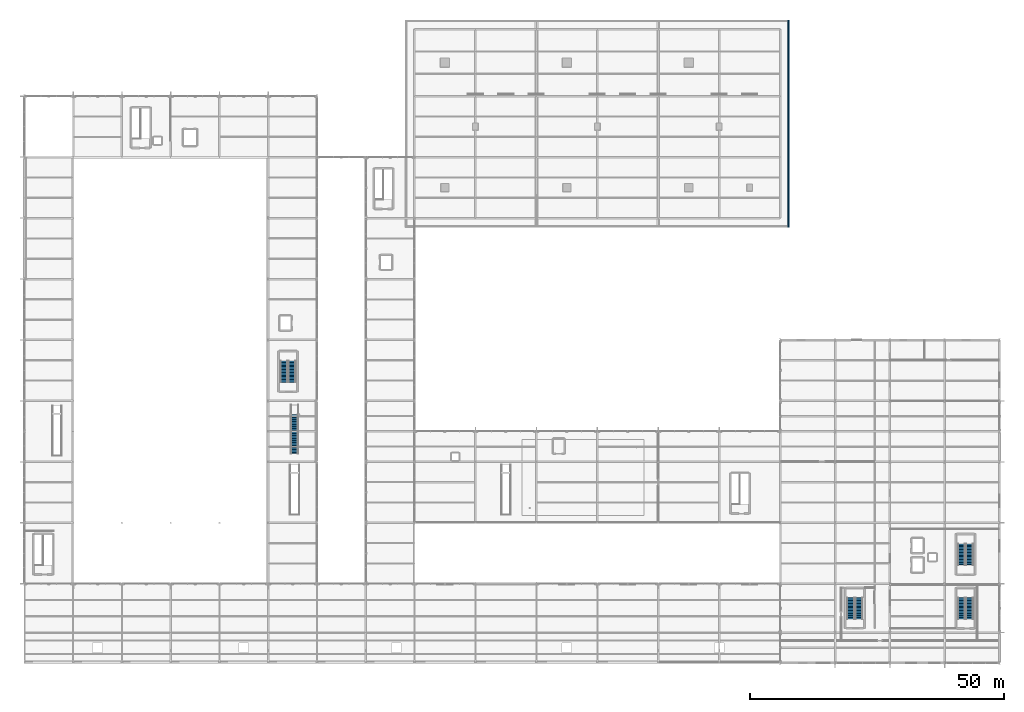
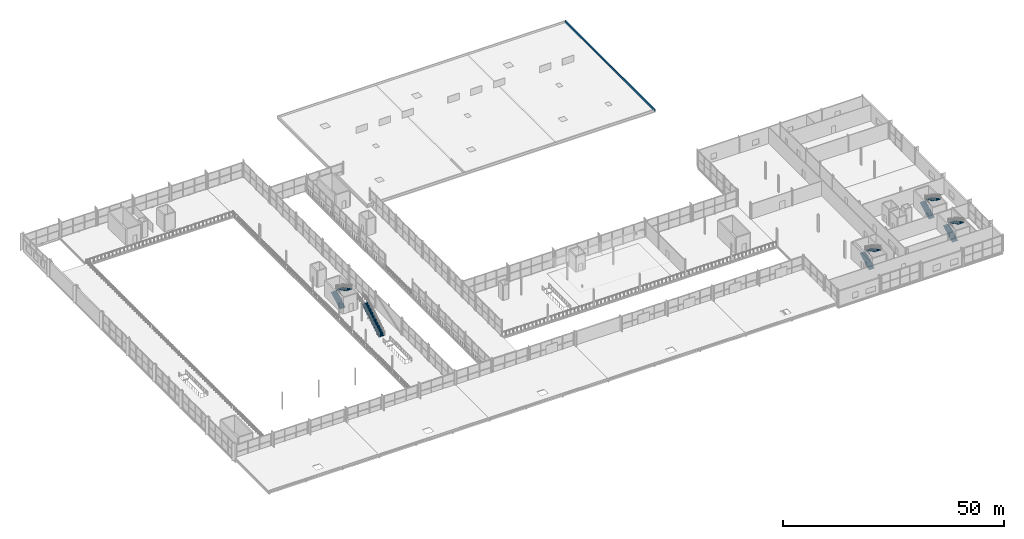
# One storey, part 143 of 159: 9 stair flights, 1 wall, 5 elements without a shape of their own.
"""IFC4 building model written with IfcOpenShell, lengths in metres."""

import ifcopenshell
import ifcopenshell.guid

model = None  # the IFC model being written
_history = None  # IfcOwnerHistory: only IFC2X3 demands one
_inside = {}  # id of a spatial element -> (the spatial element, [elements in it])
_under = {}  # id of a project, library or spatial element -> (it, [spatial elements below it])
_declared = {}  # id of a project -> (the project, [libraries it declares])
_typed = {}  # id of a type object -> (the type object, [elements of that type])
_made_of = {}  # id of a material, layer set ... -> (it, [elements and type objects made of it])


def new_model(schema):
    """Start an empty IFC model of exactly this schema.

    Asked for "IFC4X3", IfcOpenShell would pick the latest addendum, in which some entities
    have other attributes; the version numbers below select the first issue.
    IFC2X3 requires an IfcOwnerHistory on every rooted entity: one is made here for all.
    """
    global model, _history
    if schema == "IFC4X3":
        model = ifcopenshell.file(schema_version=(4, 3, 0, 0))
    else:
        model = ifcopenshell.file(schema=schema)
    _inside.clear()
    _under.clear()
    _declared.clear()
    _typed.clear()
    _made_of.clear()
    _history = None
    if model.schema == "IFC2X3":
        org = make("IfcOrganization", Name="unknown")
        user = make(
            "IfcPersonAndOrganization",
            ThePerson=make("IfcPerson", FamilyName="unknown"),
            TheOrganization=org,
        )
        app = make(
            "IfcApplication",
            ApplicationDeveloper=org,
            Version="unknown",
            ApplicationFullName="unknown",
            ApplicationIdentifier="unknown",
        )
        _history = make(
            "IfcOwnerHistory",
            OwningUser=user,
            OwningApplication=app,
            ChangeAction="ADDED",
            CreationDate=0,
        )
    return model


def make(cls, **values):
    """One entity of the class cls with the attributes given. An attribute that is None is left unset."""
    return model.create_entity(
        cls, **{name: value for name, value in values.items() if value is not None}
    )


def rooted(cls, **values):
    """An entity with a GlobalId (a new one), such as an element, a storey or a relation."""
    return make(cls, GlobalId=ifcopenshell.guid.new(), OwnerHistory=_history, **values)


def si_unit(unit_type, name, prefix=None):
    """IfcSIUnit, for example si_unit("LENGTHUNIT", "METRE", prefix="MILLI")."""
    return make("IfcSIUnit", UnitType=unit_type, Prefix=prefix, Name=name)


def assignment(units):
    """IfcUnitAssignment: the units of a project."""
    return None if units is None else make("IfcUnitAssignment", Units=units)


def point(xyz):
    """IfcCartesianPoint."""
    return None if xyz is None else make("IfcCartesianPoint", Coordinates=xyz)


def direction(xyz):
    """IfcDirection."""
    return None if xyz is None else make("IfcDirection", DirectionRatios=xyz)


def frame(location, z_axis=None, x_axis=None):
    """IfcAxis2Placement3D, a coordinate frame: its origin and axes. An axis left out is left unset."""
    return make(
        "IfcAxis2Placement3D",
        Location=point(location),
        Axis=direction(z_axis),
        RefDirection=direction(x_axis),
    )


def frame_2d(location, x_axis=None):
    """IfcAxis2Placement2D, a coordinate frame in the plane: its origin and x axis."""
    return make(
        "IfcAxis2Placement2D", Location=point(location), RefDirection=direction(x_axis)
    )


def origin():
    """The frame at (0, 0, 0) with its axes left unset."""
    return frame((0.0, 0.0, 0.0))


def place(relative_to, where):
    """IfcLocalPlacement: puts the frame where relative to a parent placement (None: the world)."""
    return make(
        "IfcLocalPlacement", PlacementRelTo=relative_to, RelativePlacement=where
    )


def context(
    kind, dimensions, precision=None, world=None, true_north=None, identifier=None
):
    """IfcGeometricRepresentationContext, for example the 3D "Model" context."""
    return make(
        "IfcGeometricRepresentationContext",
        ContextIdentifier=identifier,
        ContextType=kind,
        CoordinateSpaceDimension=dimensions,
        Precision=precision,
        WorldCoordinateSystem=world,
        TrueNorth=true_north,
    )


def subcontext(parent, identifier, kind, view, scale=None):
    """IfcGeometricRepresentationSubContext, for example "Body" below "Model"."""
    return make(
        "IfcGeometricRepresentationSubContext",
        ContextIdentifier=identifier,
        ContextType=kind,
        ParentContext=parent,
        TargetScale=scale,
        TargetView=view,
    )


def project(units=None, contexts=None):
    """IfcProject with its units and contexts."""
    return rooted(
        "IfcProject",
        Name="project",
        RepresentationContexts=contexts,
        UnitsInContext=assignment(units),
    )


def spatial(cls, under=None, at=None, **own):
    """A site, building, storey or space (cls), placed at a placement, below another one or the project."""
    s = rooted(cls, ObjectPlacement=at, **own)
    if under is not None:
        _under.setdefault(under.id(), (under, []))[1].append(s)
    return s


def polyline(points):
    """IfcPolyline through the points."""
    return make("IfcPolyline", Points=[point(p) for p in points])


def profile(cls, at=None, kind="AREA", **sizes):
    """A parametric profile (cls). Its sizes go by their IFC names, for example OverallWidth=200.0."""
    return make(cls, ProfileType=kind, Position=at, **sizes)


def rectangle(**sizes):
    """IfcRectangleProfileDef."""
    return profile("IfcRectangleProfileDef", **sizes)


def outline(outer, holes=None, kind="AREA"):
    """IfcArbitraryClosedProfileDef: a profile drawn as a closed curve; with holes, ...WithVoids."""
    if holes is None:
        return make("IfcArbitraryClosedProfileDef", ProfileType=kind, OuterCurve=outer)
    return make(
        "IfcArbitraryProfileDefWithVoids",
        ProfileType=kind,
        OuterCurve=outer,
        InnerCurves=holes,
    )


def extrude(swept, where, along, depth):
    """IfcExtrudedAreaSolid: the profile swept, set in the frame where, extruded along a direction by depth."""
    return make(
        "IfcExtrudedAreaSolid",
        SweptArea=swept,
        Position=where,
        ExtrudedDirection=direction(along),
        Depth=depth,
    )


def shape(context_of_items, identifier, shape_type, items):
    """IfcShapeRepresentation: the items that make up one representation, for example the "Body"."""
    return make(
        "IfcShapeRepresentation",
        ContextOfItems=context_of_items,
        RepresentationIdentifier=identifier,
        RepresentationType=shape_type,
        Items=items,
    )


def material(Name=None, Category=None):
    """IfcMaterial."""
    return make("IfcMaterial", Name=Name, Category=Category)


def layer(
    of_material, thickness, ventilated=None, Name=None, Category=None, Priority=None
):
    """IfcMaterialLayer: one layer of a wall or slab, of a material (None: an air gap)."""
    return make(
        "IfcMaterialLayer",
        Material=of_material,
        LayerThickness=thickness,
        IsVentilated=ventilated,
        Name=Name,
        Category=Category,
        Priority=Priority,
    )


def layer_set(layers, Name=None):
    """IfcMaterialLayerSet."""
    return make("IfcMaterialLayerSet", MaterialLayers=layers, LayerSetName=Name)


def made_of(thing, what):
    """Note that an element or type object is made of a material, layer set ...; save() writes the relation."""
    if what is not None:
        _made_of.setdefault(what.id(), (what, []))[1].append(thing)
    return thing


def type_object(cls, material=None, **own):
    """A type object (cls), such as IfcWallType, which elements share."""
    return made_of(rooted(cls, **own), material)


def element(
    cls,
    number,
    at=None,
    inside=None,
    cuts=None,
    type_object=None,
    material=None,
    context=None,
    identifier="Body",
    shape_type=None,
    held_by="IfcProductDefinitionShape",
    body=None,
    shapes=None,
    **own,
):
    """One element of the class cls, such as IfcWall. Its Tag is "e" and its number.

    at: its placement. inside: the storey or other place that contains it. cuts: it is an
    opening in that element (IfcRelVoidsElement). A single representation is given by context,
    identifier, shape_type and body (its items); several are given by shapes. held_by: the class
    of the entity that holds the representations. save() writes the other relations.
    """
    e = rooted(cls, Tag="e%d" % number, ObjectPlacement=at, **own)
    if body is not None:
        shapes = [shape(context, identifier, shape_type, body)]
    if shapes is not None:
        e.Representation = make(held_by, Representations=shapes)
    if inside is not None:
        _inside.setdefault(inside.id(), (inside, []))[1].append(e)
    if cuts is not None:
        rooted(
            "IfcRelVoidsElement", RelatingBuildingElement=cuts, RelatedOpeningElement=e
        )
    if type_object is not None:
        _typed.setdefault(type_object.id(), (type_object, []))[1].append(e)
    return made_of(e, material)


def aggregate(whole, parts):
    """IfcRelAggregates: a whole, such as a stair, and the parts it consists of."""
    return rooted("IfcRelAggregates", RelatingObject=whole, RelatedObjects=parts)


def save(model, path):
    """Write the relations noted so far, then the file.

    IfcRelAggregates (storeys below a building ...), IfcRelContainedInSpatialStructure (elements
    in a storey), IfcRelDefinesByType, IfcRelAssociatesMaterial and IfcRelDeclares: one each for
    every whole, place, type object, material and project.
    """
    for whole, parts in _under.values():
        aggregate(whole, parts)
    for where, things in _inside.values():
        rooted(
            "IfcRelContainedInSpatialStructure",
            RelatedElements=things,
            RelatingStructure=where,
        )
    for kind, things in _typed.values():
        rooted("IfcRelDefinesByType", RelatedObjects=things, RelatingType=kind)
    for what, things in _made_of.values():
        rooted("IfcRelAssociatesMaterial", RelatedObjects=things, RelatingMaterial=what)
    for by, libraries in _declared.values():
        rooted("IfcRelDeclares", RelatingContext=by, RelatedDefinitions=libraries)
    model.write(path)


model = new_model("IFC4")

# Units and contexts
model_context = context("Model", 3, precision=1e-05, world=origin(), true_north=direction((0.0, 1.0)))
body_context = subcontext(model_context, "Body", "Model", "MODEL_VIEW")
ifc_project = project(units=[si_unit("LENGTHUNIT", "METRE"), si_unit("AREAUNIT", "SQUARE_METRE"), si_unit("VOLUMEUNIT", "CUBIC_METRE"), si_unit("PLANEANGLEUNIT", "RADIAN"), si_unit("MASSUNIT", "GRAM", prefix="KILO")], contexts=[model_context])

# Site, building, storey
site_placement = place(None, origin())
site = spatial("IfcSite", under=ifc_project, at=site_placement, CompositionType="ELEMENT")
building_placement = place(site_placement, origin())
building = spatial("IfcBuilding", under=site, at=building_placement, Name="Merenkruunu Market Hall", CompositionType="ELEMENT")
storey_placement = place(building_placement, frame((0.0, 0.0, 5.39990234375)))
storey = spatial("IfcBuildingStorey", under=building, at=storey_placement, Name="L01", CompositionType="ELEMENT", Elevation=5.39990234375)

# Wall
ifc_material_1 = material(Name="Precast concrete C40/50", Category="concrete")
ifc_layer = layer(ifc_material_1, 0.280029296875)
ifc_layer_set = layer_set([ifc_layer], Name="Precast concrete C40/50")
wall_type = type_object("IfcWallType", Name="Roof Parapet Upstand PRW01", PredefinedType="PARAPET", material=ifc_layer_set)
wall_placement = place(storey_placement, frame((150.4599609375, 85.800048828125, 1.22021484375), z_axis=(0.0, 0.0, 1.0), x_axis=(0.0, 1.0, 0.0)))
element("IfcWall", 1, at=wall_placement, inside=storey, type_object=wall_type, Name="PAR-V5-E", PredefinedType="PARAPET", context=body_context, shape_type="SweptSolid", body=[
    extrude(rectangle(XDim=40.800048828125, YDim=0.280029296875, at=frame_2d((20.39990234375, 0.0))), origin(), (0.0, 0.0, 1.0), 0.5),
])

# Stair, stair flights
ifc_material_2 = material(Name="Concrete C35/45", Category="concrete")
stair_type_1 = type_object("IfcStairType", Name="Two Flight Half Turn Stair ST03", PredefinedType="TWO_STRAIGHT_RUN_STAIR", material=ifc_material_2)
stair_1_placement = place(storey_placement, origin())
stair_1 = element("IfcStair", 2, at=stair_1_placement, inside=storey, type_object=stair_type_1, Name="Protected Stair ST06 (K3 L01-L02)", PredefinedType="TWO_STRAIGHT_RUN_STAIR")
stair_flight_type_1 = type_object("IfcStairFlightType", Name="Straight Stair Flight SFL01", PredefinedType="STRAIGHT", material=ifc_material_2)
stair_flight_1_placement = place(storey_placement, frame((51.10498046875, 55.25, 0.0), z_axis=(0.0, 0.0, 1.0), x_axis=(0.0, 1.0, 0.0)))
stair_flight_1 = element("IfcStairFlight", 3, at=stair_flight_1_placement, type_object=stair_flight_type_1, Name="ST06 flight 1", NumberOfRisers=16, NumberOfTreads=15, PredefinedType="STRAIGHT", RiserHeight=0.15, TreadLength=0.28, context=body_context, shape_type="SweptSolid", body=[
    extrude(outline(polyline([(0.0, 0.0), (0.0, 0.14990234375), (0.280029296875, 0.14990234375), (0.280029296875, 0.300048828125), (0.56005859375, 0.300048828125), (0.56005859375, 0.449951171875), (0.840087890625, 0.449951171875), (0.840087890625, 0.60009765625), (1.1201171875, 0.60009765625), (1.1201171875, 0.75), (1.39990234375, 0.75), (1.39990234375, 0.89990234375), (1.679931640625, 0.89990234375), (1.679931640625, 1.050048828125), (1.9599609375, 1.050048828125), (1.9599609375, 1.199951171875), (2.239990234375, 1.199951171875), (2.239990234375, 1.35009765625), (2.52001953125, 1.35009765625), (2.52001953125, 1.5), (2.800048828125, 1.5), (2.800048828125, 1.64990234375), (3.080078125, 1.64990234375), (3.080078125, 1.800048828125), (3.360107421875, 1.800048828125), (3.360107421875, 1.949951171875), (3.639892578125, 1.949951171875), (3.639892578125, 2.10009765625), (3.919921875, 2.10009765625), (3.919921875, 2.25), (4.199951171875, 2.25), (4.199951171875, 2.39990234375), (4.199951171875, 2.068603515625), (0.338623046875, 0.0), (0.0, 0.0)])), frame((0.0, 0.72509765625, 0.0), z_axis=(0.0, -1.0, 0.0), x_axis=(1.0, 0.0, 0.0)), (0.0, 0.0, 1.0), 1.449951171875),
])
stair_flight_2_placement = place(storey_placement, frame((52.695068359375, 59.449951171875, 2.400146484375), z_axis=(0.0, 0.0, 1.0), x_axis=(0.0, -1.0, 0.0)))
stair_flight_2 = element("IfcStairFlight", 4, at=stair_flight_2_placement, type_object=stair_flight_type_1, Name="ST06 flight 2", NumberOfRisers=16, NumberOfTreads=15, PredefinedType="STRAIGHT", RiserHeight=0.15, TreadLength=0.28, context=body_context, shape_type="SweptSolid", body=[
    extrude(outline(polyline([(0.0, 0.0), (0.0, 0.14990234375), (0.280029296875, 0.14990234375), (0.280029296875, 0.300048828125), (0.56005859375, 0.300048828125), (0.56005859375, 0.449951171875), (0.840087890625, 0.449951171875), (0.840087890625, 0.60009765625), (1.1201171875, 0.60009765625), (1.1201171875, 0.75), (1.39990234375, 0.75), (1.39990234375, 0.89990234375), (1.679931640625, 0.89990234375), (1.679931640625, 1.050048828125), (1.9599609375, 1.050048828125), (1.9599609375, 1.199951171875), (2.239990234375, 1.199951171875), (2.239990234375, 1.35009765625), (2.52001953125, 1.35009765625), (2.52001953125, 1.5), (2.800048828125, 1.5), (2.800048828125, 1.64990234375), (3.080078125, 1.64990234375), (3.080078125, 1.800048828125), (3.360107421875, 1.800048828125), (3.360107421875, 1.949951171875), (3.639892578125, 1.949951171875), (3.639892578125, 2.10009765625), (3.919921875, 2.10009765625), (3.919921875, 2.25), (4.199951171875, 2.25), (4.199951171875, 2.39990234375), (4.199951171875, 2.068603515625), (0.338623046875, 0.0), (0.0, 0.0)])), frame((0.0, 0.72509765625, 0.0), z_axis=(0.0, -1.0, 0.0), x_axis=(1.0, 0.0, 0.0)), (0.0, 0.0, 1.0), 1.449951171875),
])
aggregate(stair_1, [stair_flight_1, stair_flight_2])

stair_2_placement = place(storey_placement, origin())
stair_2 = element("IfcStair", 5, at=stair_2_placement, inside=storey, type_object=stair_type_1, Name="Protected Stair ST10 (K5 L01-L02)", PredefinedType="TWO_STRAIGHT_RUN_STAIR")
stair_flight_3_placement = place(storey_placement, frame((184.5048828125, 8.64990234375, 0.0), z_axis=(0.0, 0.0, 1.0), x_axis=(0.0, 1.0, 0.0)))
stair_flight_3 = element("IfcStairFlight", 6, at=stair_flight_3_placement, type_object=stair_flight_type_1, Name="ST10 flight 1", NumberOfRisers=16, NumberOfTreads=15, PredefinedType="STRAIGHT", RiserHeight=0.15, TreadLength=0.28, context=body_context, shape_type="SweptSolid", body=[
    extrude(outline(polyline([(0.0, 0.0), (0.0, 0.14990234375), (0.280029296875, 0.14990234375), (0.280029296875, 0.300048828125), (0.56005859375, 0.300048828125), (0.56005859375, 0.449951171875), (0.840087890625, 0.449951171875), (0.840087890625, 0.60009765625), (1.1201171875, 0.60009765625), (1.1201171875, 0.75), (1.39990234375, 0.75), (1.39990234375, 0.89990234375), (1.679931640625, 0.89990234375), (1.679931640625, 1.050048828125), (1.9599609375, 1.050048828125), (1.9599609375, 1.199951171875), (2.239990234375, 1.199951171875), (2.239990234375, 1.35009765625), (2.52001953125, 1.35009765625), (2.52001953125, 1.5), (2.800048828125, 1.5), (2.800048828125, 1.64990234375), (3.080078125, 1.64990234375), (3.080078125, 1.800048828125), (3.360107421875, 1.800048828125), (3.360107421875, 1.949951171875), (3.639892578125, 1.949951171875), (3.639892578125, 2.10009765625), (3.919921875, 2.10009765625), (3.919921875, 2.25), (4.199951171875, 2.25), (4.199951171875, 2.39990234375), (4.199951171875, 2.068603515625), (0.338623046875, 0.0), (0.0, 0.0)])), frame((0.0, 0.72509765625, 0.0), z_axis=(0.0, -1.0, 0.0), x_axis=(1.0, 0.0, 0.0)), (0.0, 0.0, 1.0), 1.449951171875),
])
stair_flight_4_placement = place(storey_placement, frame((186.094970703125, 12.85009765625, 2.400146484375), z_axis=(0.0, 0.0, 1.0), x_axis=(0.0, -1.0, 0.0)))
stair_flight_4 = element("IfcStairFlight", 7, at=stair_flight_4_placement, type_object=stair_flight_type_1, Name="ST10 flight 2", NumberOfRisers=16, NumberOfTreads=15, PredefinedType="STRAIGHT", RiserHeight=0.15, TreadLength=0.28, context=body_context, shape_type="SweptSolid", body=[
    extrude(outline(polyline([(0.0, 0.0), (0.0, 0.14990234375), (0.280029296875, 0.14990234375), (0.280029296875, 0.300048828125), (0.56005859375, 0.300048828125), (0.56005859375, 0.449951171875), (0.840087890625, 0.449951171875), (0.840087890625, 0.60009765625), (1.1201171875, 0.60009765625), (1.1201171875, 0.75), (1.39990234375, 0.75), (1.39990234375, 0.89990234375), (1.679931640625, 0.89990234375), (1.679931640625, 1.050048828125), (1.9599609375, 1.050048828125), (1.9599609375, 1.199951171875), (2.239990234375, 1.199951171875), (2.239990234375, 1.35009765625), (2.52001953125, 1.35009765625), (2.52001953125, 1.5), (2.800048828125, 1.5), (2.800048828125, 1.64990234375), (3.080078125, 1.64990234375), (3.080078125, 1.800048828125), (3.360107421875, 1.800048828125), (3.360107421875, 1.949951171875), (3.639892578125, 1.949951171875), (3.639892578125, 2.10009765625), (3.919921875, 2.10009765625), (3.919921875, 2.25), (4.199951171875, 2.25), (4.199951171875, 2.39990234375), (4.199951171875, 2.068603515625), (0.338623046875, 0.0), (0.0, 0.0)])), frame((0.0, 0.72509765625, 0.0), z_axis=(0.0, -1.0, 0.0), x_axis=(1.0, 0.0, 0.0)), (0.0, 0.0, 1.0), 1.449951171875),
])
aggregate(stair_2, [stair_flight_3, stair_flight_4])

stair_3_placement = place(storey_placement, origin())
stair_3 = element("IfcStair", 8, at=stair_3_placement, inside=storey, type_object=stair_type_1, Name="Protected Stair ST14 (K6 L01-L02)", PredefinedType="TWO_STRAIGHT_RUN_STAIR")
stair_flight_5_placement = place(storey_placement, frame((184.5048828125, 19.25, 0.0), z_axis=(0.0, 0.0, 1.0), x_axis=(0.0, 1.0, 0.0)))
stair_flight_5 = element("IfcStairFlight", 9, at=stair_flight_5_placement, type_object=stair_flight_type_1, Name="ST14 flight 1", NumberOfRisers=16, NumberOfTreads=15, PredefinedType="STRAIGHT", RiserHeight=0.15, TreadLength=0.28, context=body_context, shape_type="SweptSolid", body=[
    extrude(outline(polyline([(0.0, 0.0), (0.0, 0.14990234375), (0.280029296875, 0.14990234375), (0.280029296875, 0.300048828125), (0.56005859375, 0.300048828125), (0.56005859375, 0.449951171875), (0.840087890625, 0.449951171875), (0.840087890625, 0.60009765625), (1.1201171875, 0.60009765625), (1.1201171875, 0.75), (1.39990234375, 0.75), (1.39990234375, 0.89990234375), (1.679931640625, 0.89990234375), (1.679931640625, 1.050048828125), (1.9599609375, 1.050048828125), (1.9599609375, 1.199951171875), (2.239990234375, 1.199951171875), (2.239990234375, 1.35009765625), (2.52001953125, 1.35009765625), (2.52001953125, 1.5), (2.800048828125, 1.5), (2.800048828125, 1.64990234375), (3.080078125, 1.64990234375), (3.080078125, 1.800048828125), (3.360107421875, 1.800048828125), (3.360107421875, 1.949951171875), (3.639892578125, 1.949951171875), (3.639892578125, 2.10009765625), (3.919921875, 2.10009765625), (3.919921875, 2.25), (4.199951171875, 2.25), (4.199951171875, 2.39990234375), (4.199951171875, 2.068603515625), (0.338623046875, 0.0), (0.0, 0.0)])), frame((0.0, 0.72509765625, 0.0), z_axis=(0.0, -1.0, 0.0), x_axis=(1.0, 0.0, 0.0)), (0.0, 0.0, 1.0), 1.449951171875),
])
stair_flight_6_placement = place(storey_placement, frame((186.094970703125, 23.449951171875, 2.400146484375), z_axis=(0.0, 0.0, 1.0), x_axis=(0.0, -1.0, 0.0)))
stair_flight_6 = element("IfcStairFlight", 10, at=stair_flight_6_placement, type_object=stair_flight_type_1, Name="ST14 flight 2", NumberOfRisers=16, NumberOfTreads=15, PredefinedType="STRAIGHT", RiserHeight=0.15, TreadLength=0.28, context=body_context, shape_type="SweptSolid", body=[
    extrude(outline(polyline([(0.0, 0.0), (0.0, 0.14990234375), (0.280029296875, 0.14990234375), (0.280029296875, 0.300048828125), (0.56005859375, 0.300048828125), (0.56005859375, 0.449951171875), (0.840087890625, 0.449951171875), (0.840087890625, 0.60009765625), (1.1201171875, 0.60009765625), (1.1201171875, 0.75), (1.39990234375, 0.75), (1.39990234375, 0.89990234375), (1.679931640625, 0.89990234375), (1.679931640625, 1.050048828125), (1.9599609375, 1.050048828125), (1.9599609375, 1.199951171875), (2.239990234375, 1.199951171875), (2.239990234375, 1.35009765625), (2.52001953125, 1.35009765625), (2.52001953125, 1.5), (2.800048828125, 1.5), (2.800048828125, 1.64990234375), (3.080078125, 1.64990234375), (3.080078125, 1.800048828125), (3.360107421875, 1.800048828125), (3.360107421875, 1.949951171875), (3.639892578125, 1.949951171875), (3.639892578125, 2.10009765625), (3.919921875, 2.10009765625), (3.919921875, 2.25), (4.199951171875, 2.25), (4.199951171875, 2.39990234375), (4.199951171875, 2.068603515625), (0.338623046875, 0.0), (0.0, 0.0)])), frame((0.0, 0.72509765625, 0.0), z_axis=(0.0, -1.0, 0.0), x_axis=(1.0, 0.0, 0.0)), (0.0, 0.0, 1.0), 1.449951171875),
])
aggregate(stair_3, [stair_flight_5, stair_flight_6])

stair_4_placement = place(storey_placement, origin())
stair_4 = element("IfcStair", 11, at=stair_4_placement, inside=storey, type_object=stair_type_1, Name="Protected Stair ST20 (K9 L01-L02)", PredefinedType="TWO_STRAIGHT_RUN_STAIR")
stair_flight_7_placement = place(storey_placement, frame((162.705078125, 8.64990234375, 0.0), z_axis=(0.0, 0.0, 1.0), x_axis=(0.0, 1.0, 0.0)))
stair_flight_7 = element("IfcStairFlight", 12, at=stair_flight_7_placement, type_object=stair_flight_type_1, Name="ST20 flight 1", NumberOfRisers=16, NumberOfTreads=15, PredefinedType="STRAIGHT", RiserHeight=0.15, TreadLength=0.28, context=body_context, shape_type="SweptSolid", body=[
    extrude(outline(polyline([(0.0, 0.0), (0.0, 0.14990234375), (0.280029296875, 0.14990234375), (0.280029296875, 0.300048828125), (0.56005859375, 0.300048828125), (0.56005859375, 0.449951171875), (0.840087890625, 0.449951171875), (0.840087890625, 0.60009765625), (1.1201171875, 0.60009765625), (1.1201171875, 0.75), (1.39990234375, 0.75), (1.39990234375, 0.89990234375), (1.679931640625, 0.89990234375), (1.679931640625, 1.050048828125), (1.9599609375, 1.050048828125), (1.9599609375, 1.199951171875), (2.239990234375, 1.199951171875), (2.239990234375, 1.35009765625), (2.52001953125, 1.35009765625), (2.52001953125, 1.5), (2.800048828125, 1.5), (2.800048828125, 1.64990234375), (3.080078125, 1.64990234375), (3.080078125, 1.800048828125), (3.360107421875, 1.800048828125), (3.360107421875, 1.949951171875), (3.639892578125, 1.949951171875), (3.639892578125, 2.10009765625), (3.919921875, 2.10009765625), (3.919921875, 2.25), (4.199951171875, 2.25), (4.199951171875, 2.39990234375), (4.199951171875, 2.068603515625), (0.338623046875, 0.0), (0.0, 0.0)])), frame((0.0, 0.72509765625, 0.0), z_axis=(0.0, -1.0, 0.0), x_axis=(1.0, 0.0, 0.0)), (0.0, 0.0, 1.0), 1.449951171875),
])
stair_flight_8_placement = place(storey_placement, frame((164.294921875, 12.85009765625, 2.400146484375), z_axis=(0.0, 0.0, 1.0), x_axis=(0.0, -1.0, 0.0)))
stair_flight_8 = element("IfcStairFlight", 13, at=stair_flight_8_placement, type_object=stair_flight_type_1, Name="ST20 flight 2", NumberOfRisers=16, NumberOfTreads=15, PredefinedType="STRAIGHT", RiserHeight=0.15, TreadLength=0.28, context=body_context, shape_type="SweptSolid", body=[
    extrude(outline(polyline([(0.0, 0.0), (0.0, 0.14990234375), (0.280029296875, 0.14990234375), (0.280029296875, 0.300048828125), (0.56005859375, 0.300048828125), (0.56005859375, 0.449951171875), (0.840087890625, 0.449951171875), (0.840087890625, 0.60009765625), (1.1201171875, 0.60009765625), (1.1201171875, 0.75), (1.39990234375, 0.75), (1.39990234375, 0.89990234375), (1.679931640625, 0.89990234375), (1.679931640625, 1.050048828125), (1.9599609375, 1.050048828125), (1.9599609375, 1.199951171875), (2.239990234375, 1.199951171875), (2.239990234375, 1.35009765625), (2.52001953125, 1.35009765625), (2.52001953125, 1.5), (2.800048828125, 1.5), (2.800048828125, 1.64990234375), (3.080078125, 1.64990234375), (3.080078125, 1.800048828125), (3.360107421875, 1.800048828125), (3.360107421875, 1.949951171875), (3.639892578125, 1.949951171875), (3.639892578125, 2.10009765625), (3.919921875, 2.10009765625), (3.919921875, 2.25), (4.199951171875, 2.25), (4.199951171875, 2.39990234375), (4.199951171875, 2.068603515625), (0.338623046875, 0.0), (0.0, 0.0)])), frame((0.0, 0.72509765625, 0.0), z_axis=(0.0, -1.0, 0.0), x_axis=(1.0, 0.0, 0.0)), (0.0, 0.0, 1.0), 1.449951171875),
])
aggregate(stair_4, [stair_flight_7, stair_flight_8])

# Stair, stair flight
ifc_material_3 = material(Name="Steel S355J2", Category="steel")
stair_type_2 = type_object("IfcStairType", Name="Single Run Feature Stair FST03", PredefinedType="STRAIGHT_RUN_STAIR", material=ifc_material_3)
stair_5_placement = place(storey_placement, origin())
stair_5 = element("IfcStair", 14, at=stair_5_placement, inside=storey, type_object=stair_type_2, Name="Public Feature Stair FST05 (L01-L02)", PredefinedType="STRAIGHT_RUN_STAIR")
stair_flight_type_2 = type_object("IfcStairFlightType", Name="Straight Stair Flight SFL06", PredefinedType="STRAIGHT", material=ifc_material_3)
stair_flight_9_placement = place(storey_placement, frame((53.199951171875, 41.199951171875, 0.0), z_axis=(0.0, 0.0, 1.0), x_axis=(0.0, 1.0, 0.0)))
stair_flight_9 = element("IfcStairFlight", 15, at=stair_flight_9_placement, type_object=stair_flight_type_2, Name="FST05 flight 1", NumberOfRisers=29, NumberOfTreads=28, PredefinedType="STRAIGHT", RiserHeight=0.165517241, TreadLength=0.275, context=body_context, shape_type="SweptSolid", body=[
    extrude(outline(polyline([(0.0, 0.0), (0.0, 0.16552734375), (0.27490234375, 0.16552734375), (0.27490234375, 0.3310546875), (0.550048828125, 0.3310546875), (0.550048828125, 0.49658203125), (0.824951171875, 0.49658203125), (0.824951171875, 0.662109375), (1.10009765625, 0.662109375), (1.10009765625, 0.82763671875), (1.375, 0.82763671875), (1.375, 0.9931640625), (1.64990234375, 0.9931640625), (1.64990234375, 1.15869140625), (1.925048828125, 1.15869140625), (1.925048828125, 1.32421875), (2.199951171875, 1.32421875), (2.199951171875, 1.48974609375), (2.47509765625, 1.48974609375), (2.47509765625, 1.6552734375), (2.75, 1.6552734375), (2.75, 1.82080078125), (3.02490234375, 1.82080078125), (3.02490234375, 1.986328125), (3.300048828125, 1.986328125), (3.300048828125, 2.151611328125), (3.574951171875, 2.151611328125), (3.574951171875, 2.317138671875), (3.85009765625, 2.317138671875), (3.85009765625, 2.482666015625), (4.125, 2.482666015625), (4.125, 2.648193359375), (4.39990234375, 2.648193359375), (4.39990234375, 2.813720703125), (4.675048828125, 2.813720703125), (4.675048828125, 2.979248046875), (4.949951171875, 2.979248046875), (4.949951171875, 3.144775390625), (5.22509765625, 3.144775390625), (5.22509765625, 3.310302734375), (5.5, 3.310302734375), (5.5, 3.475830078125), (5.77490234375, 3.475830078125), (5.77490234375, 3.641357421875), (6.050048828125, 3.641357421875), (6.050048828125, 3.806884765625), (6.324951171875, 3.806884765625), (6.324951171875, 3.972412109375), (6.60009765625, 3.972412109375), (6.60009765625, 4.137939453125), (6.875, 4.137939453125), (6.875, 4.303466796875), (7.14990234375, 4.303466796875), (7.14990234375, 4.468994140625), (7.425048828125, 4.468994140625), (7.425048828125, 4.634521484375), (7.699951171875, 4.634521484375), (7.699951171875, 4.800048828125), (7.699951171875, 4.44775390625), (0.31005859375, 0.0), (0.0, 0.0)])), frame((0.0, 0.75, 0.0), z_axis=(0.0, -1.0, 0.0), x_axis=(1.0, 0.0, 0.0)), (0.0, 0.0, 1.0), 1.5),
])
aggregate(stair_5, [stair_flight_9])

save(model, "model.ifc")
